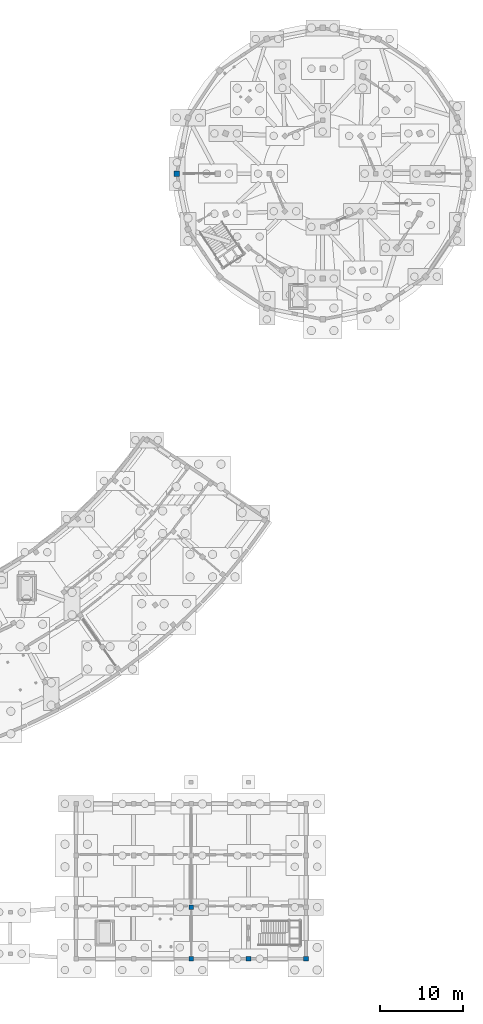
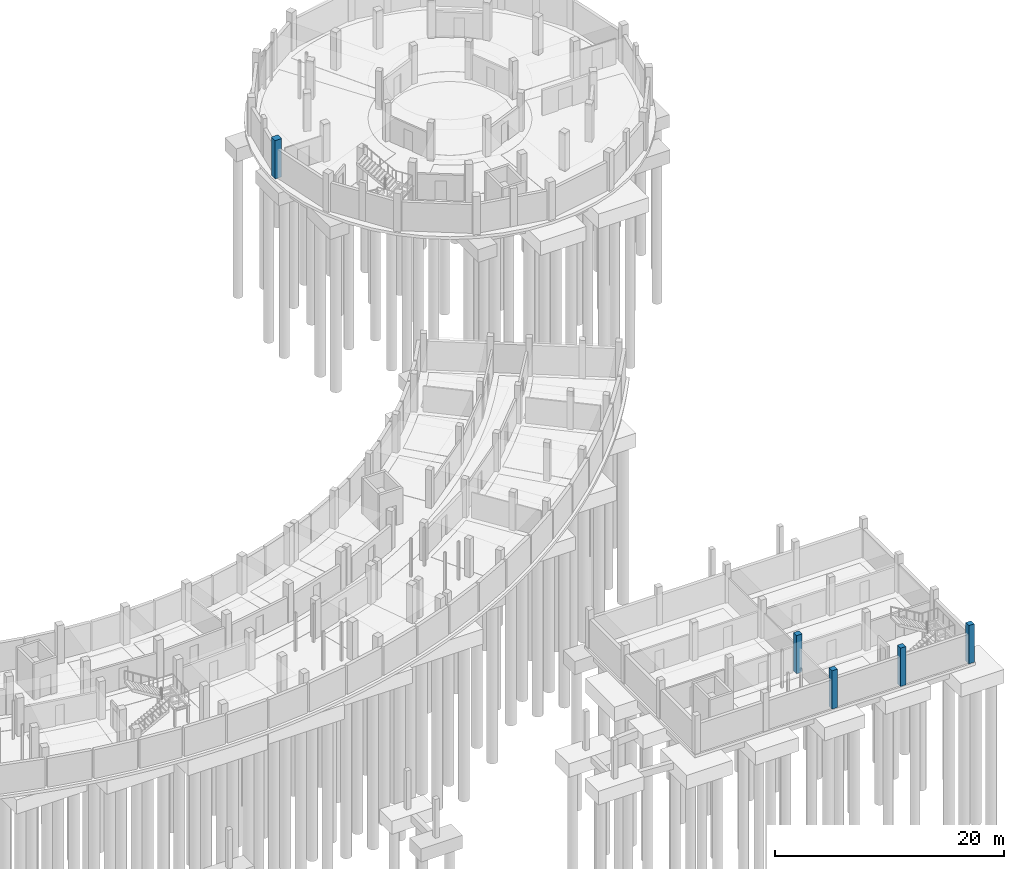
# One storey, part 26 of 58: 5 columns.
"""IFC4 building model written with IfcOpenShell, lengths in metres."""

from ifc_helpers import new_model, si_unit, direction, frame, origin, origin_2d, place, context, subcontext, project, spatial, rectangle, extrude, material, material_profile, profile_set, type_object, element, save


model = new_model("IFC4")

# Units and contexts
model_context = context("Model", 3, precision=1e-05, world=origin(), true_north=direction((0.0, 1.0)))
body_context = subcontext(model_context, "Body", "Model", "MODEL_VIEW")
ifc_project = project(units=[si_unit("LENGTHUNIT", "METRE"), si_unit("AREAUNIT", "SQUARE_METRE"), si_unit("VOLUMEUNIT", "CUBIC_METRE"), si_unit("PLANEANGLEUNIT", "RADIAN"), si_unit("MASSUNIT", "GRAM", prefix="KILO")], contexts=[model_context])

# Site, building, storey
site_placement = place(None, origin())
site = spatial("IfcSite", under=ifc_project, at=site_placement, CompositionType="ELEMENT")
building_placement = place(site_placement, origin())
building = spatial("IfcBuilding", under=site, at=building_placement, Name="Caldaven Crescent School", CompositionType="ELEMENT")
storey_placement = place(building_placement, frame((0.0, 0.0, -4.080078125)))
storey = spatial("IfcBuildingStorey", under=building, at=storey_placement, Name="B1", CompositionType="ELEMENT", Elevation=-4.080078125)

# Columns
ifc_material = material(Name="Concrete C35/45", Category="concrete")
ifc_material_profile_1 = material_profile(ifc_material, rectangle(XDim=0.550048828125, YDim=0.550048828125, at=origin_2d()), Name="RC 550x550")
ifc_profile_set_1 = profile_set([ifc_material_profile_1], Name="Concrete C35/45")
column_type_1 = type_object("IfcColumnType", Name="COL-RC55", PredefinedType="COLUMN", material=ifc_profile_set_1)
for number, where, z_axis, x_axis, name in (
    (1, (136.699951171875, 4.199951171875, 0.0), (0.0, 0.0, 1.0), (1.0, 0.0, 0.0), "COL-V3-B1-2-0"),
    (2, (136.699951171875, 10.39990234375, 0.0), (0.0, 0.0, 1.0), (1.0, 0.0, 0.0), "COL-V3-B1-2-1"),
    (3, (143.60009765625, 4.199951171875, 0.0), (0.0, 0.0, 1.0), (1.0, 0.0, 0.0), "COL-V3-B1-3-0"),
    (4, (150.5, 4.199951171875, 0.0), (0.0, 0.0, 1.0), (1.0, 0.0, 0.0), "COL-V3-B1-4-0"),
):
    element("IfcColumn", number, at=place(storey_placement, frame(where, z_axis=z_axis, x_axis=x_axis)), inside=storey, type_object=column_type_1, Name=name, PredefinedType="COLUMN", context=body_context, shape_type="SweptSolid", body=[
        extrude(rectangle(XDim=0.550048828125, YDim=0.550048828125, at=origin_2d()), origin(), (0.0, 0.0, 1.0), 4.080078125),
    ])
ifc_material_profile_2 = material_profile(ifc_material, rectangle(XDim=0.64990234375, YDim=0.64990234375, at=origin_2d()), Name="RC 650x650")
ifc_profile_set_2 = profile_set([ifc_material_profile_2], Name="Concrete C35/45")
column_type_2 = type_object("IfcColumnType", Name="COL-RC65", PredefinedType="COLUMN", material=ifc_profile_set_2)
column_placement = place(storey_placement, frame((135.0, 98.5, 0.0), z_axis=(0.0, 0.0, 1.0), x_axis=(-1.0, 0.0, 0.0)))
element("IfcColumn", 5, at=column_placement, inside=storey, type_object=column_type_2, Name="COL-V1-B1-OUT-08", PredefinedType="COLUMN", context=body_context, shape_type="SweptSolid", body=[
    extrude(rectangle(XDim=0.64990234375, YDim=0.64990234375, at=origin_2d()), origin(), (0.0, 0.0, 1.0), 4.080078125),
])

save(model, "model.ifc")
